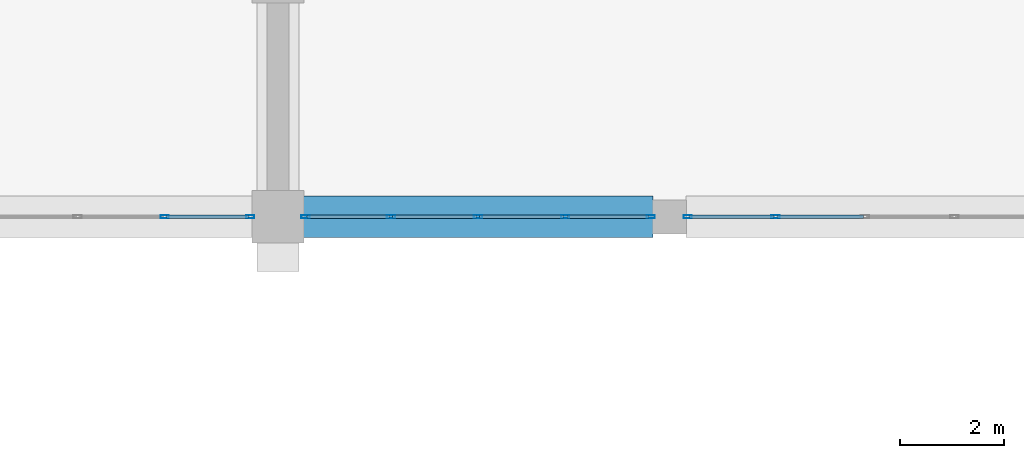
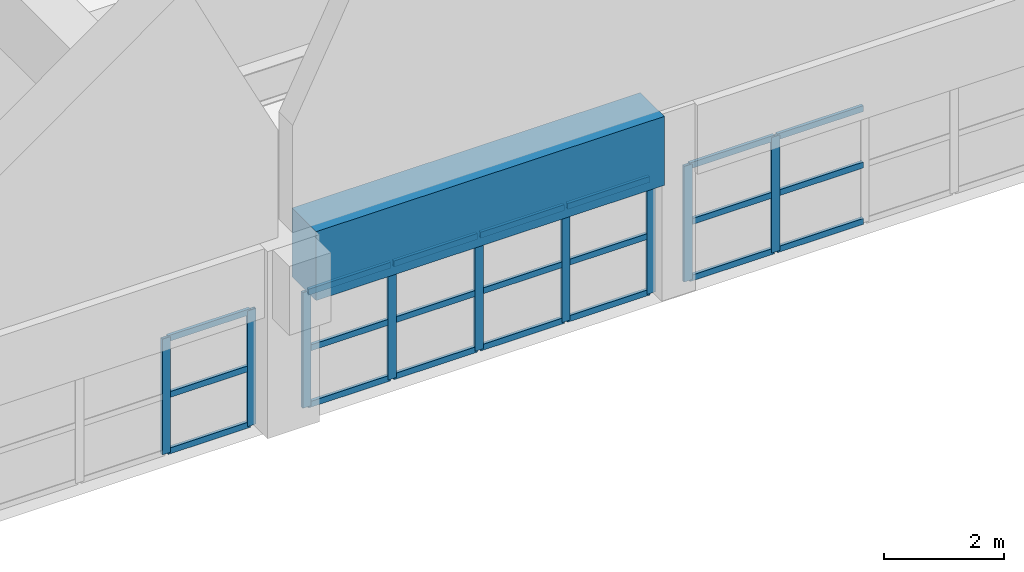
# One storey, part 16 of 74: 30 members, 1 beam, 3 elements without a shape of their own.
"""IFC4 building model written with IfcOpenShell, lengths in metres."""

import ifcopenshell
import ifcopenshell.guid

model = None  # the IFC model being written
_history = None  # IfcOwnerHistory: only IFC2X3 demands one
_inside = {}  # id of a spatial element -> (the spatial element, [elements in it])
_under = {}  # id of a project, library or spatial element -> (it, [spatial elements below it])
_declared = {}  # id of a project -> (the project, [libraries it declares])
_typed = {}  # id of a type object -> (the type object, [elements of that type])
_made_of = {}  # id of a material, layer set ... -> (it, [elements and type objects made of it])


def new_model(schema):
    """Start an empty IFC model of exactly this schema.

    Asked for "IFC4X3", IfcOpenShell would pick the latest addendum, in which some entities
    have other attributes; the version numbers below select the first issue.
    IFC2X3 requires an IfcOwnerHistory on every rooted entity: one is made here for all.
    """
    global model, _history
    if schema == "IFC4X3":
        model = ifcopenshell.file(schema_version=(4, 3, 0, 0))
    else:
        model = ifcopenshell.file(schema=schema)
    _inside.clear()
    _under.clear()
    _declared.clear()
    _typed.clear()
    _made_of.clear()
    _history = None
    if model.schema == "IFC2X3":
        org = make("IfcOrganization", Name="unknown")
        user = make(
            "IfcPersonAndOrganization",
            ThePerson=make("IfcPerson", FamilyName="unknown"),
            TheOrganization=org,
        )
        app = make(
            "IfcApplication",
            ApplicationDeveloper=org,
            Version="unknown",
            ApplicationFullName="unknown",
            ApplicationIdentifier="unknown",
        )
        _history = make(
            "IfcOwnerHistory",
            OwningUser=user,
            OwningApplication=app,
            ChangeAction="ADDED",
            CreationDate=0,
        )
    return model


def make(cls, **values):
    """One entity of the class cls with the attributes given. An attribute that is None is left unset."""
    return model.create_entity(
        cls, **{name: value for name, value in values.items() if value is not None}
    )


def rooted(cls, **values):
    """An entity with a GlobalId (a new one), such as an element, a storey or a relation."""
    return make(cls, GlobalId=ifcopenshell.guid.new(), OwnerHistory=_history, **values)


def si_unit(unit_type, name, prefix=None):
    """IfcSIUnit, for example si_unit("LENGTHUNIT", "METRE", prefix="MILLI")."""
    return make("IfcSIUnit", UnitType=unit_type, Prefix=prefix, Name=name)


def assignment(units):
    """IfcUnitAssignment: the units of a project."""
    return None if units is None else make("IfcUnitAssignment", Units=units)


def point(xyz):
    """IfcCartesianPoint."""
    return None if xyz is None else make("IfcCartesianPoint", Coordinates=xyz)


def direction(xyz):
    """IfcDirection."""
    return None if xyz is None else make("IfcDirection", DirectionRatios=xyz)


def frame(location, z_axis=None, x_axis=None):
    """IfcAxis2Placement3D, a coordinate frame: its origin and axes. An axis left out is left unset."""
    return make(
        "IfcAxis2Placement3D",
        Location=point(location),
        Axis=direction(z_axis),
        RefDirection=direction(x_axis),
    )


def frame_2d(location, x_axis=None):
    """IfcAxis2Placement2D, a coordinate frame in the plane: its origin and x axis."""
    return make(
        "IfcAxis2Placement2D", Location=point(location), RefDirection=direction(x_axis)
    )


def origin():
    """The frame at (0, 0, 0) with its axes left unset."""
    return frame((0.0, 0.0, 0.0))


def origin_2d():
    """The frame at (0, 0) in the plane with its x axis left unset."""
    return frame_2d((0.0, 0.0))


def place(relative_to, where):
    """IfcLocalPlacement: puts the frame where relative to a parent placement (None: the world)."""
    return make(
        "IfcLocalPlacement", PlacementRelTo=relative_to, RelativePlacement=where
    )


def context(
    kind, dimensions, precision=None, world=None, true_north=None, identifier=None
):
    """IfcGeometricRepresentationContext, for example the 3D "Model" context."""
    return make(
        "IfcGeometricRepresentationContext",
        ContextIdentifier=identifier,
        ContextType=kind,
        CoordinateSpaceDimension=dimensions,
        Precision=precision,
        WorldCoordinateSystem=world,
        TrueNorth=true_north,
    )


def subcontext(parent, identifier, kind, view, scale=None):
    """IfcGeometricRepresentationSubContext, for example "Body" below "Model"."""
    return make(
        "IfcGeometricRepresentationSubContext",
        ContextIdentifier=identifier,
        ContextType=kind,
        ParentContext=parent,
        TargetScale=scale,
        TargetView=view,
    )


def project(units=None, contexts=None):
    """IfcProject with its units and contexts."""
    return rooted(
        "IfcProject",
        Name="project",
        RepresentationContexts=contexts,
        UnitsInContext=assignment(units),
    )


def spatial(cls, under=None, at=None, **own):
    """A site, building, storey or space (cls), placed at a placement, below another one or the project."""
    s = rooted(cls, ObjectPlacement=at, **own)
    if under is not None:
        _under.setdefault(under.id(), (under, []))[1].append(s)
    return s


def profile(cls, at=None, kind="AREA", **sizes):
    """A parametric profile (cls). Its sizes go by their IFC names, for example OverallWidth=200.0."""
    return make(cls, ProfileType=kind, Position=at, **sizes)


def rectangle(**sizes):
    """IfcRectangleProfileDef."""
    return profile("IfcRectangleProfileDef", **sizes)


def hollow_rectangle(**sizes):
    """IfcRectangleHollowProfileDef."""
    return profile("IfcRectangleHollowProfileDef", **sizes)


def extrude(swept, where, along, depth):
    """IfcExtrudedAreaSolid: the profile swept, set in the frame where, extruded along a direction by depth."""
    return make(
        "IfcExtrudedAreaSolid",
        SweptArea=swept,
        Position=where,
        ExtrudedDirection=direction(along),
        Depth=depth,
    )


def shape(context_of_items, identifier, shape_type, items):
    """IfcShapeRepresentation: the items that make up one representation, for example the "Body"."""
    return make(
        "IfcShapeRepresentation",
        ContextOfItems=context_of_items,
        RepresentationIdentifier=identifier,
        RepresentationType=shape_type,
        Items=items,
    )


def material(Name=None, Category=None):
    """IfcMaterial."""
    return make("IfcMaterial", Name=Name, Category=Category)


def layer(
    of_material, thickness, ventilated=None, Name=None, Category=None, Priority=None
):
    """IfcMaterialLayer: one layer of a wall or slab, of a material (None: an air gap)."""
    return make(
        "IfcMaterialLayer",
        Material=of_material,
        LayerThickness=thickness,
        IsVentilated=ventilated,
        Name=Name,
        Category=Category,
        Priority=Priority,
    )


def layer_set(layers, Name=None):
    """IfcMaterialLayerSet."""
    return make("IfcMaterialLayerSet", MaterialLayers=layers, LayerSetName=Name)


def material_profile(
    of_material, cross_section, Name=None, Category=None, Priority=None
):
    """IfcMaterialProfile: a cross section and its material."""
    return make(
        "IfcMaterialProfile",
        Name=Name,
        Material=of_material,
        Profile=cross_section,
        Priority=Priority,
        Category=Category,
    )


def profile_set(profiles, Name=None, composite=None):
    """IfcMaterialProfileSet."""
    return make(
        "IfcMaterialProfileSet",
        Name=Name,
        MaterialProfiles=profiles,
        CompositeProfile=composite,
    )


def made_of(thing, what):
    """Note that an element or type object is made of a material, layer set ...; save() writes the relation."""
    if what is not None:
        _made_of.setdefault(what.id(), (what, []))[1].append(thing)
    return thing


def type_object(cls, material=None, **own):
    """A type object (cls), such as IfcWallType, which elements share."""
    return made_of(rooted(cls, **own), material)


def element(
    cls,
    number,
    at=None,
    inside=None,
    cuts=None,
    type_object=None,
    material=None,
    context=None,
    identifier="Body",
    shape_type=None,
    held_by="IfcProductDefinitionShape",
    body=None,
    shapes=None,
    **own,
):
    """One element of the class cls, such as IfcWall. Its Tag is "e" and its number.

    at: its placement. inside: the storey or other place that contains it. cuts: it is an
    opening in that element (IfcRelVoidsElement). A single representation is given by context,
    identifier, shape_type and body (its items); several are given by shapes. held_by: the class
    of the entity that holds the representations. save() writes the other relations.
    """
    e = rooted(cls, Tag="e%d" % number, ObjectPlacement=at, **own)
    if body is not None:
        shapes = [shape(context, identifier, shape_type, body)]
    if shapes is not None:
        e.Representation = make(held_by, Representations=shapes)
    if inside is not None:
        _inside.setdefault(inside.id(), (inside, []))[1].append(e)
    if cuts is not None:
        rooted(
            "IfcRelVoidsElement", RelatingBuildingElement=cuts, RelatedOpeningElement=e
        )
    if type_object is not None:
        _typed.setdefault(type_object.id(), (type_object, []))[1].append(e)
    return made_of(e, material)


def aggregate(whole, parts):
    """IfcRelAggregates: a whole, such as a stair, and the parts it consists of."""
    return rooted("IfcRelAggregates", RelatingObject=whole, RelatedObjects=parts)


def save(model, path):
    """Write the relations noted so far, then the file.

    IfcRelAggregates (storeys below a building ...), IfcRelContainedInSpatialStructure (elements
    in a storey), IfcRelDefinesByType, IfcRelAssociatesMaterial and IfcRelDeclares: one each for
    every whole, place, type object, material and project.
    """
    for whole, parts in _under.values():
        aggregate(whole, parts)
    for where, things in _inside.values():
        rooted(
            "IfcRelContainedInSpatialStructure",
            RelatedElements=things,
            RelatingStructure=where,
        )
    for kind, things in _typed.values():
        rooted("IfcRelDefinesByType", RelatedObjects=things, RelatingType=kind)
    for what, things in _made_of.values():
        rooted("IfcRelAssociatesMaterial", RelatedObjects=things, RelatingMaterial=what)
    for by, libraries in _declared.values():
        rooted("IfcRelDeclares", RelatingContext=by, RelatedDefinitions=libraries)
    model.write(path)


model = new_model("IFC4")

# Units and contexts
model_context = context("Model", 3, precision=1e-05, world=origin(), true_north=direction((0.0, 1.0)))
body_context = subcontext(model_context, "Body", "Model", "MODEL_VIEW")
ifc_project = project(units=[si_unit("LENGTHUNIT", "METRE"), si_unit("AREAUNIT", "SQUARE_METRE"), si_unit("VOLUMEUNIT", "CUBIC_METRE"), si_unit("PLANEANGLEUNIT", "RADIAN"), si_unit("MASSUNIT", "GRAM", prefix="KILO")], contexts=[model_context])

# Site, building, storey
site_placement = place(None, origin())
site = spatial("IfcSite", under=ifc_project, at=site_placement, CompositionType="ELEMENT")
building_placement = place(site_placement, origin())
building = spatial("IfcBuilding", under=site, at=building_placement, Name="Muzn Square Opera House", CompositionType="ELEMENT")
storey_placement = place(building_placement, frame((0.0, 0.0, 14.199951171875)))
storey = spatial("IfcBuildingStorey", under=building, at=storey_placement, Name="L03", CompositionType="ELEMENT", Elevation=14.199951171875)

# Curtain wall, members
ifc_material_1 = material(Name="Low-E laminated acoustic double glazing", Category="glass")
ifc_layer_1 = layer(ifc_material_1, 0.159912109375, Name="Low-E laminated acoustic double glazing", Category="glass")
ifc_layer_set_1 = layer_set([ifc_layer_1], Name="Low-E laminated acoustic double glazing")
curtain_wall_type_1 = type_object("IfcCurtainWallType", Name="Glazed Curtain Wall Forecourt 6675x2350", PredefinedType="USERDEFINED", material=ifc_layer_set_1)
curtain_wall_1_placement = place(storey_placement, origin())
curtain_wall_1 = element("IfcCurtainWall", 1, at=curtain_wall_1_placement, inside=storey, type_object=curtain_wall_type_1, Name="Glazed Curtain Wall CW-L03-021", ObjectType="GLAZED CURTAIN WALL", PredefinedType="USERDEFINED")
ifc_material_2 = material(Name="Anodised bronze aluminium 6063-T6", Category="metal")
ifc_material_profile_1 = material_profile(ifc_material_2, hollow_rectangle(XDim=0.06005859375, YDim=0.159912109375, WallThickness=0.00390625, at=origin_2d()), Name="ALU 160x60x4", Category="metal")
ifc_profile_set_1 = profile_set([ifc_material_profile_1], Name="Anodised bronze aluminium 6063-T6")
member_type_1 = type_object("IfcMemberType", Name="Curtain Wall Mullion 160x60", PredefinedType="MULLION", material=ifc_profile_set_1)
member_1_placement = place(storey_placement, frame((70.831298828125, 22.0, 0.0), z_axis=(0.0, 0.0, 1.0), x_axis=(0.0, 1.0, 0.0)))
member_1 = element("IfcMember", 2, at=member_1_placement, type_object=member_type_1, Name="CW-FC-66x23 mullion 4", PredefinedType="MULLION", context=body_context, shape_type="SweptSolid", body=[
    extrude(hollow_rectangle(XDim=0.06005859375, YDim=0.159912109375, WallThickness=0.00390625, at=origin_2d()), origin(), (0.0, 0.0, 1.0), 2.35009765625),
])
member_2_placement = place(storey_placement, frame((72.469970703125, 22.0, 0.0), z_axis=(0.0, 0.0, 1.0), x_axis=(0.0, 1.0, 0.0)))
member_2 = element("IfcMember", 3, at=member_2_placement, type_object=member_type_1, Name="CW-FC-66x23 mullion 5", PredefinedType="MULLION", context=body_context, shape_type="SweptSolid", body=[
    extrude(hollow_rectangle(XDim=0.06005859375, YDim=0.159912109375, WallThickness=0.00390625, at=origin_2d()), origin(), (0.0, 0.0, 1.0), 2.35009765625),
])

curtain_wall_2_placement = place(storey_placement, origin())
curtain_wall_2 = element("IfcCurtainWall", 4, at=curtain_wall_2_placement, inside=storey, type_object=curtain_wall_type_1, Name="Glazed Curtain Wall CW-L03-022", ObjectType="GLAZED CURTAIN WALL", PredefinedType="USERDEFINED")
member_3_placement = place(storey_placement, frame((73.530029296875, 22.0, 0.0), z_axis=(0.0, 0.0, 1.0), x_axis=(0.0, 1.0, 0.0)))
member_3 = element("IfcMember", 5, at=member_3_placement, type_object=member_type_1, Name="CW-FC-66x23 mullion 1", PredefinedType="MULLION", context=body_context, shape_type="SweptSolid", body=[
    extrude(hollow_rectangle(XDim=0.06005859375, YDim=0.159912109375, WallThickness=0.00390625, at=origin_2d()), origin(), (0.0, 0.0, 1.0), 2.35009765625),
])
member_4_placement = place(storey_placement, frame((75.168701171875, 22.0, 0.0), z_axis=(0.0, 0.0, 1.0), x_axis=(0.0, 1.0, 0.0)))
member_4 = element("IfcMember", 6, at=member_4_placement, type_object=member_type_1, Name="CW-FC-66x23 mullion 2", PredefinedType="MULLION", context=body_context, shape_type="SweptSolid", body=[
    extrude(hollow_rectangle(XDim=0.06005859375, YDim=0.159912109375, WallThickness=0.00390625, at=origin_2d()), origin(), (0.0, 0.0, 1.0), 2.35009765625),
])
member_5_placement = place(storey_placement, frame((76.83740234375, 22.0, 0.0), z_axis=(0.0, 0.0, 1.0), x_axis=(0.0, 1.0, 0.0)))
member_5 = element("IfcMember", 7, at=member_5_placement, type_object=member_type_1, Name="CW-FC-66x23 mullion 3", PredefinedType="MULLION", context=body_context, shape_type="SweptSolid", body=[
    extrude(hollow_rectangle(XDim=0.06005859375, YDim=0.159912109375, WallThickness=0.00390625, at=origin_2d()), origin(), (0.0, 0.0, 1.0), 2.35009765625),
])
member_6_placement = place(storey_placement, frame((78.50634765625, 22.0, 0.0), z_axis=(0.0, 0.0, 1.0), x_axis=(0.0, 1.0, 0.0)))
member_6 = element("IfcMember", 8, at=member_6_placement, type_object=member_type_1, Name="CW-FC-66x23 mullion 4", PredefinedType="MULLION", context=body_context, shape_type="SweptSolid", body=[
    extrude(hollow_rectangle(XDim=0.06005859375, YDim=0.159912109375, WallThickness=0.00390625, at=origin_2d()), origin(), (0.0, 0.0, 1.0), 2.35009765625),
])
member_7_placement = place(storey_placement, frame((80.14501953125, 22.0, 0.0), z_axis=(0.0, 0.0, 1.0), x_axis=(0.0, 1.0, 0.0)))
member_7 = element("IfcMember", 9, at=member_7_placement, type_object=member_type_1, Name="CW-FC-66x23 mullion 5", PredefinedType="MULLION", context=body_context, shape_type="SweptSolid", body=[
    extrude(hollow_rectangle(XDim=0.06005859375, YDim=0.159912109375, WallThickness=0.00390625, at=origin_2d()), origin(), (0.0, 0.0, 1.0), 2.35009765625),
])

ifc_layer_2 = layer(ifc_material_1, 0.159912109375, Name="Low-E laminated acoustic double glazing", Category="glass")
ifc_layer_set_2 = layer_set([ifc_layer_2], Name="Low-E laminated acoustic double glazing")
curtain_wall_type_2 = type_object("IfcCurtainWallType", Name="Glazed Curtain Wall Forecourt 6850x2350", PredefinedType="USERDEFINED", material=ifc_layer_set_2)
curtain_wall_3_placement = place(storey_placement, origin())
curtain_wall_3 = element("IfcCurtainWall", 10, at=curtain_wall_3_placement, inside=storey, type_object=curtain_wall_type_2, Name="Glazed Curtain Wall CW-L03-023", ObjectType="GLAZED CURTAIN WALL", PredefinedType="USERDEFINED")
member_8_placement = place(storey_placement, frame((80.85498046875, 22.0, 0.0), z_axis=(0.0, 0.0, 1.0), x_axis=(0.0, 1.0, 0.0)))
member_8 = element("IfcMember", 11, at=member_8_placement, type_object=member_type_1, Name="CW-FC-68x23 mullion 1", PredefinedType="MULLION", context=body_context, shape_type="SweptSolid", body=[
    extrude(hollow_rectangle(XDim=0.06005859375, YDim=0.159912109375, WallThickness=0.00390625, at=origin_2d()), origin(), (0.0, 0.0, 1.0), 2.35009765625),
])
member_9_placement = place(storey_placement, frame((82.53759765625, 22.0, 0.0), z_axis=(0.0, 0.0, 1.0), x_axis=(0.0, 1.0, 0.0)))
member_9 = element("IfcMember", 12, at=member_9_placement, type_object=member_type_1, Name="CW-FC-68x23 mullion 2", PredefinedType="MULLION", context=body_context, shape_type="SweptSolid", body=[
    extrude(hollow_rectangle(XDim=0.06005859375, YDim=0.159912109375, WallThickness=0.00390625, at=origin_2d()), origin(), (0.0, 0.0, 1.0), 2.35009765625),
])

# Member
ifc_material_profile_2 = material_profile(ifc_material_2, hollow_rectangle(XDim=0.06005859375, YDim=0.1201171875, WallThickness=0.00390625, at=origin_2d()), Name="ALU 120x60x4", Category="metal")
ifc_profile_set_2 = profile_set([ifc_material_profile_2], Name="Anodised bronze aluminium 6063-T6")
member_type_2 = type_object("IfcMemberType", Name="Curtain Wall Transom 120x60", PredefinedType="USERDEFINED", material=ifc_profile_set_2)
member_10_placement = place(storey_placement, frame((70.861328125, 22.0, 0.030029296875), z_axis=(1.0, 0.0, 0.0), x_axis=(0.0, 1.0, 0.0)))
member_10 = element("IfcMember", 13, at=member_10_placement, type_object=member_type_2, Name="CW-FC-66x23 transom 4.1", ObjectType="TRANSOM", PredefinedType="USERDEFINED", context=body_context, shape_type="SweptSolid", body=[
    extrude(hollow_rectangle(XDim=0.06005859375, YDim=0.1201171875, WallThickness=0.00390625, at=origin_2d()), origin(), (0.0, 0.0, 1.0), 1.57861328125),
])

member_11_placement = place(storey_placement, frame((70.861328125, 22.0, 1.175048828125), z_axis=(1.0, 0.0, 0.0), x_axis=(0.0, 1.0, 0.0)))
member_11 = element("IfcMember", 14, at=member_11_placement, type_object=member_type_2, Name="CW-FC-66x23 transom 4.2", ObjectType="TRANSOM", PredefinedType="USERDEFINED", context=body_context, shape_type="SweptSolid", body=[
    extrude(hollow_rectangle(XDim=0.06005859375, YDim=0.1201171875, WallThickness=0.00390625, at=origin_2d()), origin(), (0.0, 0.0, 1.0), 1.57861328125),
])

member_12_placement = place(storey_placement, frame((70.861328125, 22.0, 2.320068359375), z_axis=(1.0, 0.0, 0.0), x_axis=(0.0, 1.0, 0.0)))
member_12 = element("IfcMember", 15, at=member_12_placement, type_object=member_type_2, Name="CW-FC-66x23 transom 4.3", ObjectType="TRANSOM", PredefinedType="USERDEFINED", context=body_context, shape_type="SweptSolid", body=[
    extrude(hollow_rectangle(XDim=0.06005859375, YDim=0.1201171875, WallThickness=0.00390625, at=origin_2d()), origin(), (0.0, 0.0, 1.0), 1.57861328125),
])

aggregate(curtain_wall_1, [member_1, member_2, member_10, member_11, member_12])

member_13_placement = place(storey_placement, frame((73.56005859375, 22.0, 0.030029296875), z_axis=(1.0, 0.0, 0.0), x_axis=(0.0, 1.0, 0.0)))
member_13 = element("IfcMember", 16, at=member_13_placement, type_object=member_type_2, Name="CW-FC-66x23 transom 1.1", ObjectType="TRANSOM", PredefinedType="USERDEFINED", context=body_context, shape_type="SweptSolid", body=[
    extrude(hollow_rectangle(XDim=0.06005859375, YDim=0.1201171875, WallThickness=0.00390625, at=origin_2d()), origin(), (0.0, 0.0, 1.0), 1.57861328125),
])

member_14_placement = place(storey_placement, frame((73.56005859375, 22.0, 1.175048828125), z_axis=(1.0, 0.0, 0.0), x_axis=(0.0, 1.0, 0.0)))
member_14 = element("IfcMember", 17, at=member_14_placement, type_object=member_type_2, Name="CW-FC-66x23 transom 1.2", ObjectType="TRANSOM", PredefinedType="USERDEFINED", context=body_context, shape_type="SweptSolid", body=[
    extrude(hollow_rectangle(XDim=0.06005859375, YDim=0.1201171875, WallThickness=0.00390625, at=origin_2d()), origin(), (0.0, 0.0, 1.0), 1.57861328125),
])

member_15_placement = place(storey_placement, frame((73.56005859375, 22.0, 2.320068359375), z_axis=(1.0, 0.0, 0.0), x_axis=(0.0, 1.0, 0.0)))
member_15 = element("IfcMember", 18, at=member_15_placement, type_object=member_type_2, Name="CW-FC-66x23 transom 1.3", ObjectType="TRANSOM", PredefinedType="USERDEFINED", context=body_context, shape_type="SweptSolid", body=[
    extrude(hollow_rectangle(XDim=0.06005859375, YDim=0.1201171875, WallThickness=0.00390625, at=origin_2d()), origin(), (0.0, 0.0, 1.0), 1.57861328125),
])

member_16_placement = place(storey_placement, frame((75.19873046875, 22.0, 0.030029296875), z_axis=(1.0, 0.0, 0.0), x_axis=(0.0, 1.0, 0.0)))
member_16 = element("IfcMember", 19, at=member_16_placement, type_object=member_type_2, Name="CW-FC-66x23 transom 2.1", ObjectType="TRANSOM", PredefinedType="USERDEFINED", context=body_context, shape_type="SweptSolid", body=[
    extrude(hollow_rectangle(XDim=0.06005859375, YDim=0.1201171875, WallThickness=0.00390625, at=origin_2d()), origin(), (0.0, 0.0, 1.0), 1.60888671875),
])

member_17_placement = place(storey_placement, frame((75.19873046875, 22.0, 1.175048828125), z_axis=(1.0, 0.0, 0.0), x_axis=(0.0, 1.0, 0.0)))
member_17 = element("IfcMember", 20, at=member_17_placement, type_object=member_type_2, Name="CW-FC-66x23 transom 2.2", ObjectType="TRANSOM", PredefinedType="USERDEFINED", context=body_context, shape_type="SweptSolid", body=[
    extrude(hollow_rectangle(XDim=0.06005859375, YDim=0.1201171875, WallThickness=0.00390625, at=origin_2d()), origin(), (0.0, 0.0, 1.0), 1.60888671875),
])

member_18_placement = place(storey_placement, frame((75.19873046875, 22.0, 2.320068359375), z_axis=(1.0, 0.0, 0.0), x_axis=(0.0, 1.0, 0.0)))
member_18 = element("IfcMember", 21, at=member_18_placement, type_object=member_type_2, Name="CW-FC-66x23 transom 2.3", ObjectType="TRANSOM", PredefinedType="USERDEFINED", context=body_context, shape_type="SweptSolid", body=[
    extrude(hollow_rectangle(XDim=0.06005859375, YDim=0.1201171875, WallThickness=0.00390625, at=origin_2d()), origin(), (0.0, 0.0, 1.0), 1.60888671875),
])

member_19_placement = place(storey_placement, frame((76.867431640625, 22.0, 0.030029296875), z_axis=(1.0, 0.0, 0.0), x_axis=(0.0, 1.0, 0.0)))
member_19 = element("IfcMember", 22, at=member_19_placement, type_object=member_type_2, Name="CW-FC-66x23 transom 3.1", ObjectType="TRANSOM", PredefinedType="USERDEFINED", context=body_context, shape_type="SweptSolid", body=[
    extrude(hollow_rectangle(XDim=0.06005859375, YDim=0.1201171875, WallThickness=0.00390625, at=origin_2d()), origin(), (0.0, 0.0, 1.0), 1.60888671875),
])

member_20_placement = place(storey_placement, frame((76.867431640625, 22.0, 1.175048828125), z_axis=(1.0, 0.0, 0.0), x_axis=(0.0, 1.0, 0.0)))
member_20 = element("IfcMember", 23, at=member_20_placement, type_object=member_type_2, Name="CW-FC-66x23 transom 3.2", ObjectType="TRANSOM", PredefinedType="USERDEFINED", context=body_context, shape_type="SweptSolid", body=[
    extrude(hollow_rectangle(XDim=0.06005859375, YDim=0.1201171875, WallThickness=0.00390625, at=origin_2d()), origin(), (0.0, 0.0, 1.0), 1.60888671875),
])

member_21_placement = place(storey_placement, frame((76.867431640625, 22.0, 2.320068359375), z_axis=(1.0, 0.0, 0.0), x_axis=(0.0, 1.0, 0.0)))
member_21 = element("IfcMember", 24, at=member_21_placement, type_object=member_type_2, Name="CW-FC-66x23 transom 3.3", ObjectType="TRANSOM", PredefinedType="USERDEFINED", context=body_context, shape_type="SweptSolid", body=[
    extrude(hollow_rectangle(XDim=0.06005859375, YDim=0.1201171875, WallThickness=0.00390625, at=origin_2d()), origin(), (0.0, 0.0, 1.0), 1.60888671875),
])

member_22_placement = place(storey_placement, frame((78.5361328125, 22.0, 0.030029296875), z_axis=(1.0, 0.0, 0.0), x_axis=(0.0, 1.0, 0.0)))
member_22 = element("IfcMember", 25, at=member_22_placement, type_object=member_type_2, Name="CW-FC-66x23 transom 4.1", ObjectType="TRANSOM", PredefinedType="USERDEFINED", context=body_context, shape_type="SweptSolid", body=[
    extrude(hollow_rectangle(XDim=0.06005859375, YDim=0.1201171875, WallThickness=0.00390625, at=origin_2d()), origin(), (0.0, 0.0, 1.0), 1.578857421875),
])

member_23_placement = place(storey_placement, frame((78.5361328125, 22.0, 1.175048828125), z_axis=(1.0, 0.0, 0.0), x_axis=(0.0, 1.0, 0.0)))
member_23 = element("IfcMember", 26, at=member_23_placement, type_object=member_type_2, Name="CW-FC-66x23 transom 4.2", ObjectType="TRANSOM", PredefinedType="USERDEFINED", context=body_context, shape_type="SweptSolid", body=[
    extrude(hollow_rectangle(XDim=0.06005859375, YDim=0.1201171875, WallThickness=0.00390625, at=origin_2d()), origin(), (0.0, 0.0, 1.0), 1.578857421875),
])

member_24_placement = place(storey_placement, frame((78.5361328125, 22.0, 2.320068359375), z_axis=(1.0, 0.0, 0.0), x_axis=(0.0, 1.0, 0.0)))
member_24 = element("IfcMember", 27, at=member_24_placement, type_object=member_type_2, Name="CW-FC-66x23 transom 4.3", ObjectType="TRANSOM", PredefinedType="USERDEFINED", context=body_context, shape_type="SweptSolid", body=[
    extrude(hollow_rectangle(XDim=0.06005859375, YDim=0.1201171875, WallThickness=0.00390625, at=origin_2d()), origin(), (0.0, 0.0, 1.0), 1.578857421875),
])

aggregate(curtain_wall_2, [member_3, member_4, member_5, member_6, member_7, member_13, member_14, member_15, member_16, member_17, member_18, member_19, member_20, member_21, member_22, member_23, member_24])

member_25_placement = place(storey_placement, frame((80.885009765625, 22.0, 0.030029296875), z_axis=(1.0, 0.0, 0.0), x_axis=(0.0, 1.0, 0.0)))
member_25 = element("IfcMember", 28, at=member_25_placement, type_object=member_type_2, Name="CW-FC-68x23 transom 1.1", ObjectType="TRANSOM", PredefinedType="USERDEFINED", context=body_context, shape_type="SweptSolid", body=[
    extrude(hollow_rectangle(XDim=0.06005859375, YDim=0.1201171875, WallThickness=0.00390625, at=origin_2d()), origin(), (0.0, 0.0, 1.0), 1.62255859375),
])

member_26_placement = place(storey_placement, frame((80.885009765625, 22.0, 1.175048828125), z_axis=(1.0, 0.0, 0.0), x_axis=(0.0, 1.0, 0.0)))
member_26 = element("IfcMember", 29, at=member_26_placement, type_object=member_type_2, Name="CW-FC-68x23 transom 1.2", ObjectType="TRANSOM", PredefinedType="USERDEFINED", context=body_context, shape_type="SweptSolid", body=[
    extrude(hollow_rectangle(XDim=0.06005859375, YDim=0.1201171875, WallThickness=0.00390625, at=origin_2d()), origin(), (0.0, 0.0, 1.0), 1.62255859375),
])

member_27_placement = place(storey_placement, frame((80.885009765625, 22.0, 2.320068359375), z_axis=(1.0, 0.0, 0.0), x_axis=(0.0, 1.0, 0.0)))
member_27 = element("IfcMember", 30, at=member_27_placement, type_object=member_type_2, Name="CW-FC-68x23 transom 1.3", ObjectType="TRANSOM", PredefinedType="USERDEFINED", context=body_context, shape_type="SweptSolid", body=[
    extrude(hollow_rectangle(XDim=0.06005859375, YDim=0.1201171875, WallThickness=0.00390625, at=origin_2d()), origin(), (0.0, 0.0, 1.0), 1.62255859375),
])

member_28_placement = place(storey_placement, frame((82.5673828125, 22.0, 0.030029296875), z_axis=(1.0, 0.0, 0.0), x_axis=(0.0, 1.0, 0.0)))
member_28 = element("IfcMember", 31, at=member_28_placement, type_object=member_type_2, Name="CW-FC-68x23 transom 2.1", ObjectType="TRANSOM", PredefinedType="USERDEFINED", context=body_context, shape_type="SweptSolid", body=[
    extrude(hollow_rectangle(XDim=0.06005859375, YDim=0.1201171875, WallThickness=0.00390625, at=origin_2d()), origin(), (0.0, 0.0, 1.0), 1.652587890625),
])

member_29_placement = place(storey_placement, frame((82.5673828125, 22.0, 1.175048828125), z_axis=(1.0, 0.0, 0.0), x_axis=(0.0, 1.0, 0.0)))
member_29 = element("IfcMember", 32, at=member_29_placement, type_object=member_type_2, Name="CW-FC-68x23 transom 2.2", ObjectType="TRANSOM", PredefinedType="USERDEFINED", context=body_context, shape_type="SweptSolid", body=[
    extrude(hollow_rectangle(XDim=0.06005859375, YDim=0.1201171875, WallThickness=0.00390625, at=origin_2d()), origin(), (0.0, 0.0, 1.0), 1.652587890625),
])

member_30_placement = place(storey_placement, frame((82.5673828125, 22.0, 2.320068359375), z_axis=(1.0, 0.0, 0.0), x_axis=(0.0, 1.0, 0.0)))
member_30 = element("IfcMember", 33, at=member_30_placement, type_object=member_type_2, Name="CW-FC-68x23 transom 2.3", ObjectType="TRANSOM", PredefinedType="USERDEFINED", context=body_context, shape_type="SweptSolid", body=[
    extrude(hollow_rectangle(XDim=0.06005859375, YDim=0.1201171875, WallThickness=0.00390625, at=origin_2d()), origin(), (0.0, 0.0, 1.0), 1.652587890625),
])

aggregate(curtain_wall_3, [member_8, member_9, member_25, member_26, member_27, member_28, member_29, member_30])

# Beam
ifc_material_3 = material(Name="Concrete C45/55", Category="concrete")
ifc_material_profile_3 = material_profile(ifc_material_3, rectangle(XDim=0.800048828125, YDim=1.39990234375, at=origin_2d()), Name="RCB 800x1400", Category="concrete")
ifc_profile_set_3 = profile_set([ifc_material_profile_3], Name="Concrete C45/55")
beam_type = type_object("IfcBeamType", Name="Vault Springing Girder 800x1400", PredefinedType="BEAM", material=ifc_profile_set_3)
beam_placement = place(storey_placement, frame((73.491943359375, 22.0, 3.10009765625), z_axis=(1.0, 0.0, 0.0), x_axis=(0.0, 1.0, 0.0)))
element("IfcBeam", 34, at=beam_placement, inside=storey, type_object=beam_type, Name="Gable Support Girder BM-L03-BM-VS1400-735_220_802_220-2411", PredefinedType="BEAM", context=body_context, shape_type="SweptSolid", body=[
    extrude(rectangle(XDim=0.800048828125, YDim=1.39990234375, at=origin_2d()), origin(), (0.0, 0.0, 1.0), 6.691162109375),
])

save(model, "model.ifc")
